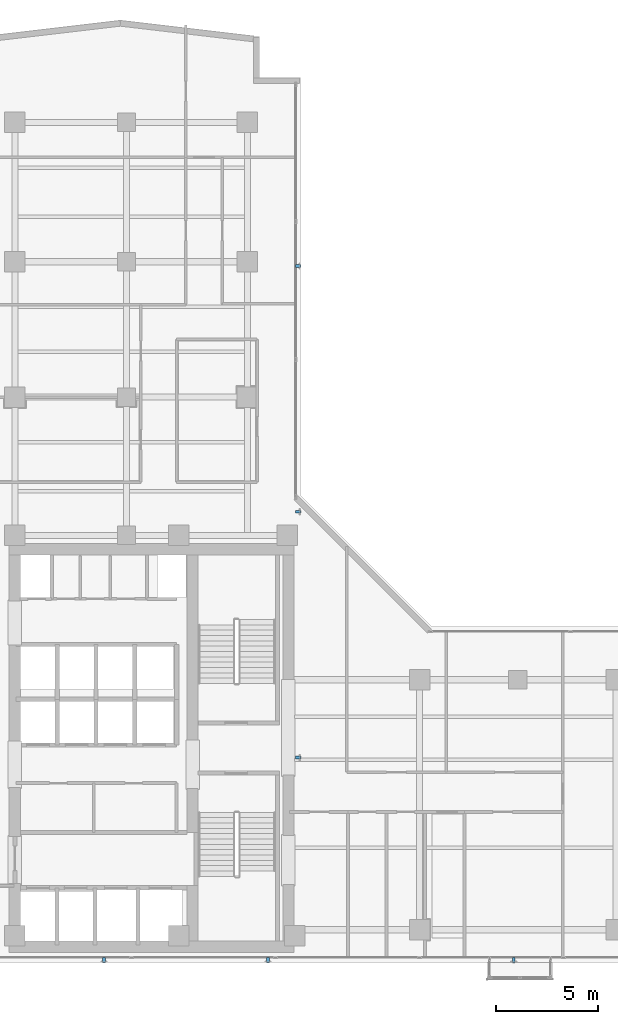
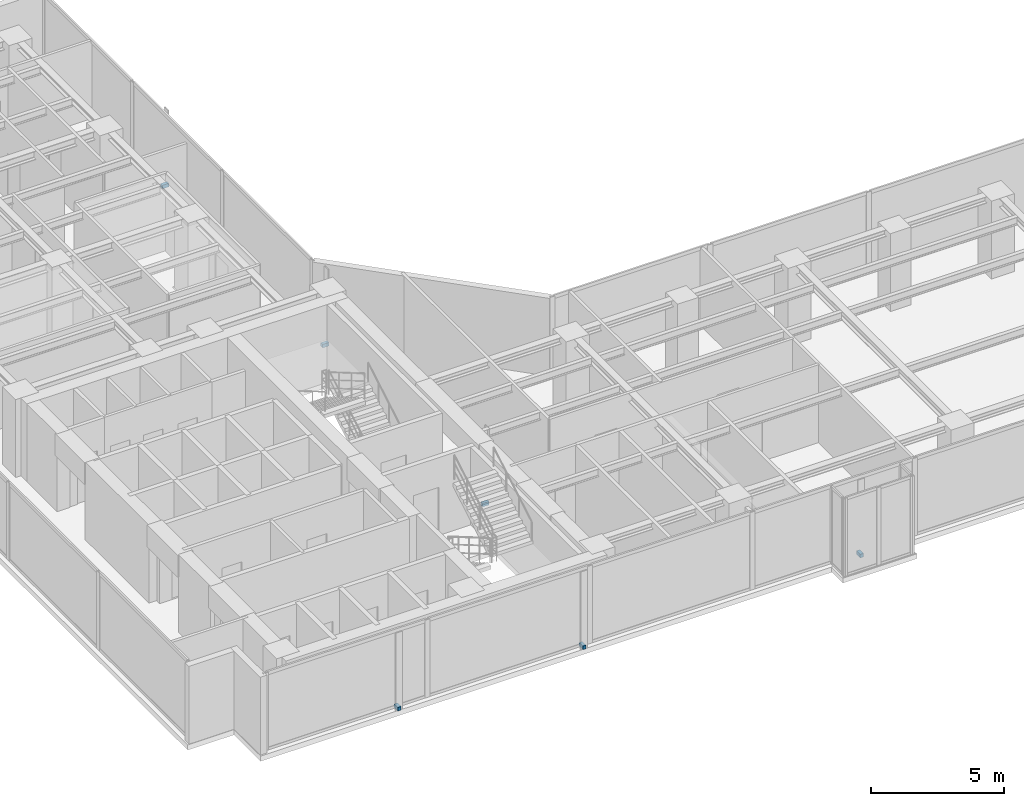
# One storey, part 20 of 25: 6 discrete accessories.
"""IFC4 building model written with IfcOpenShell, lengths in metres."""

from ifc_helpers import new_model, si_unit, direction, frame, origin, origin_with_axes, origin_2d, place, context, subcontext, project, spatial, rectangle, extrude, source, transform, mapped, material, type_object, element, save


model = new_model("IFC4")

# Units and contexts
model_context = context("Model", 3, precision=1e-05, world=origin(), true_north=direction((0.0, 1.0)))
body_context = subcontext(model_context, "Body", "Model", "MODEL_VIEW")
ifc_project = project(units=[si_unit("LENGTHUNIT", "METRE"), si_unit("AREAUNIT", "SQUARE_METRE"), si_unit("VOLUMEUNIT", "CUBIC_METRE"), si_unit("PLANEANGLEUNIT", "RADIAN"), si_unit("MASSUNIT", "GRAM", prefix="KILO")], contexts=[model_context])

# Site, building, storey
site_placement = place(None, origin())
site = spatial("IfcSite", under=ifc_project, at=site_placement, CompositionType="ELEMENT")
building_placement = place(site_placement, origin())
building = spatial("IfcBuilding", under=site, at=building_placement, Name="Kolvaren Waterfront Exchange", CompositionType="ELEMENT")
storey_placement = place(building_placement, frame((0.0, 0.0, 204.5)))
storey = spatial("IfcBuildingStorey", under=building, at=storey_placement, Name="L52", CompositionType="ELEMENT", Elevation=204.5)

# Discrete accessories
ifc_material = material(Name="Stainless steel 316", Category="steel")
discrete_accessory_type = type_object("IfcDiscreteAccessoryType", Name="ARC-BRK-FIN", PredefinedType="BRACKET", material=ifc_material)
shared_shape = source(origin_with_axes(), body_context, "Body", "SweptSolid", [
    extrude(rectangle(XDim=0.280029296875, YDim=0.139892578125, at=origin_2d()), origin(), (0.0, 0.0, 1.0), 0.159912109375),
])
for number, where, z_axis, x_axis, name in (
    (1, (11.800048828125, 3.719970703125, 0.0), (0.0, 0.0, 1.0), (0.0, -1.0, 0.0), "L52 bronze fin anchor bracket FIN-L52-S1"),
    (2, (19.800048828125, 3.719970703125, 0.0), (0.0, 0.0, 1.0), (0.0, -1.0, 0.0), "L52 bronze fin anchor bracket FIN-L52-S2"),
    (3, (31.800048828125, 3.719970703125, 0.0), (0.0, 0.0, 1.0), (0.0, -1.0, 0.0), "L52 bronze fin anchor bracket FIN-L52-S3"),
    (4, (21.280029296875, 13.60009765625, 0.0), (0.0, 0.0, 1.0), (1.0, 0.0, 0.0), "L52 bronze fin anchor bracket FIN-L52-E1"),
    (5, (21.280029296875, 25.60009765625, 0.0), (0.0, 0.0, 1.0), (1.0, 0.0, 0.0), "L52 bronze fin anchor bracket FIN-L52-E2"),
    (6, (21.280029296875, 37.60009765625, 0.0), (0.0, 0.0, 1.0), (1.0, 0.0, 0.0), "L52 bronze fin anchor bracket FIN-L52-E3"),
):
    element("IfcDiscreteAccessory", number, at=place(storey_placement, frame(where, z_axis=z_axis, x_axis=x_axis)), inside=storey, type_object=discrete_accessory_type, Name=name, PredefinedType="BRACKET", context=body_context, shape_type="MappedRepresentation", body=[
        mapped(shared_shape, transform((0.0, 0.0, 0.0), x_axis=(1.0, 0.0, 0.0), y_axis=(0.0, 1.0, 0.0), z_axis=(0.0, 0.0, 1.0), scale=1.0)),
    ])

save(model, "model.ifc")
